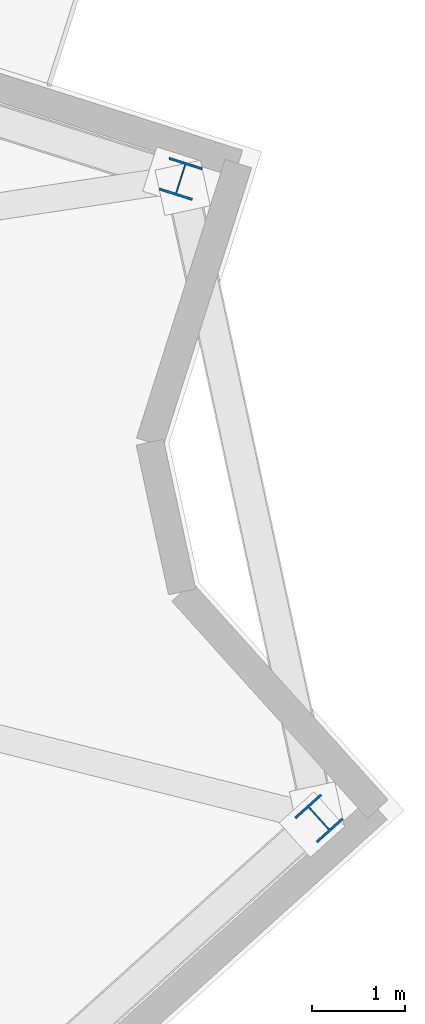
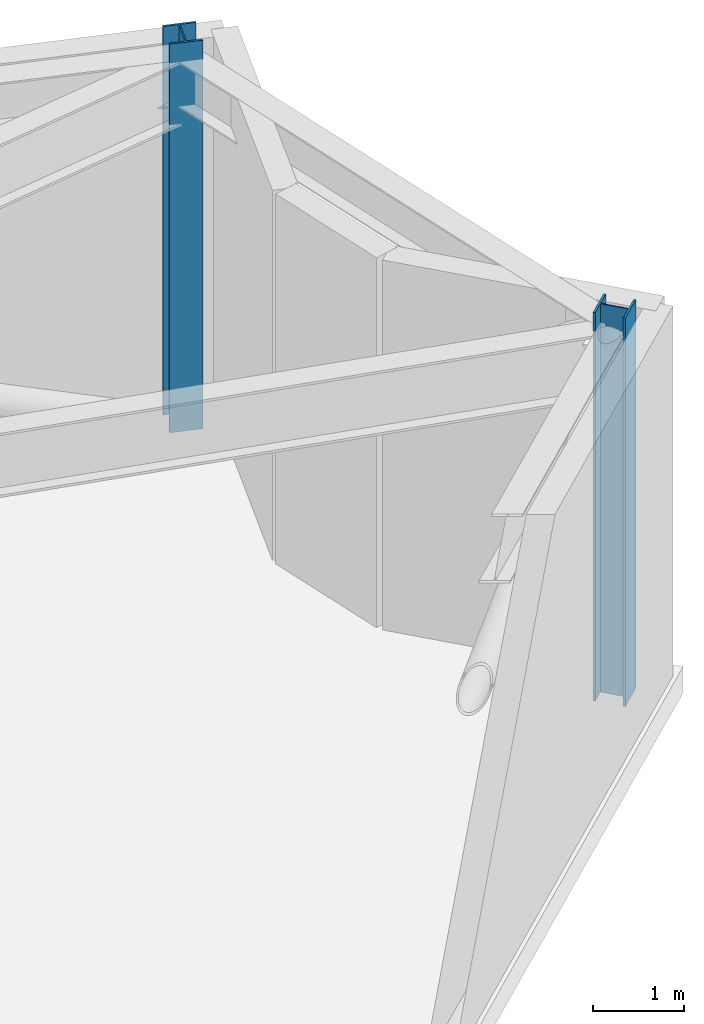
# One storey, part 3 of 16: 2 columns.
"""IFC4 building model written with IfcOpenShell, lengths in metres."""

from ifc_helpers import new_model, si_unit, direction, frame, origin, origin_2d, place, context, subcontext, project, spatial, i_section, extrude, material, material_profile, profile_set, type_object, element, save


model = new_model("IFC4")

# Units and contexts
model_context = context("Model", 3, precision=1e-05, world=origin(), true_north=direction((0.0, 1.0)))
body_context = subcontext(model_context, "Body", "Model", "MODEL_VIEW")
ifc_project = project(units=[si_unit("LENGTHUNIT", "METRE"), si_unit("AREAUNIT", "SQUARE_METRE"), si_unit("VOLUMEUNIT", "CUBIC_METRE"), si_unit("PLANEANGLEUNIT", "RADIAN"), si_unit("MASSUNIT", "GRAM", prefix="KILO")], contexts=[model_context])

# Site, building, storey
site_placement = place(None, origin())
site = spatial("IfcSite", under=ifc_project, at=site_placement, CompositionType="ELEMENT")
building_placement = place(site_placement, origin())
building = spatial("IfcBuilding", under=site, at=building_placement, Name="Apsidion Concourse Tower", CompositionType="ELEMENT")
storey_placement = place(building_placement, frame((0.0, 0.0, 227.0)))
storey = spatial("IfcBuildingStorey", under=building, at=storey_placement, Name="L53", CompositionType="ELEMENT", Elevation=227.0)

# Columns
ifc_material = material(Name="Structural steel ASTM A992 Grade 50", Category="steel")
ifc_material_profile = material_profile(ifc_material, i_section(OverallWidth=0.373046875, OverallDepth=0.373046875, WebThickness=0.016357421875, FlangeThickness=0.026123046875, at=origin_2d()), Name="W14X132")
ifc_profile_set = profile_set([ifc_material_profile], Name="Structural steel ASTM A992 Grade 50")
column_type = type_object("IfcColumnType", Name="COL-W14-132", PredefinedType="COLUMN", material=ifc_profile_set)
for number, where, z_axis, x_axis, name in (
    (1, (30.300537109375, 2.81591796875, 0.0), (0.0, 0.0, 1.0), (0.743144825477, 0.669130606359, 0.0), "L53 Rotated Perimeter Column PC08"),
    (2, (28.811279296875, 9.705810546875, 0.0), (0.0, 0.0, 1.0), (-0.953137879774, 0.3025362493, 0.0), "L53 Rotated Perimeter Column PC09"),
):
    element("IfcColumn", number, at=place(storey_placement, frame(where, z_axis=z_axis, x_axis=x_axis)), inside=storey, type_object=column_type, Name=name, PredefinedType="COLUMN", context=body_context, shape_type="SweptSolid", body=[
        extrude(i_section(OverallWidth=0.373046875, OverallDepth=0.373046875, WebThickness=0.016357421875, FlangeThickness=0.026123046875, at=origin_2d()), origin(), (0.0, 0.0, 1.0), 5.199951171875),
    ])

save(model, "model.ifc")
